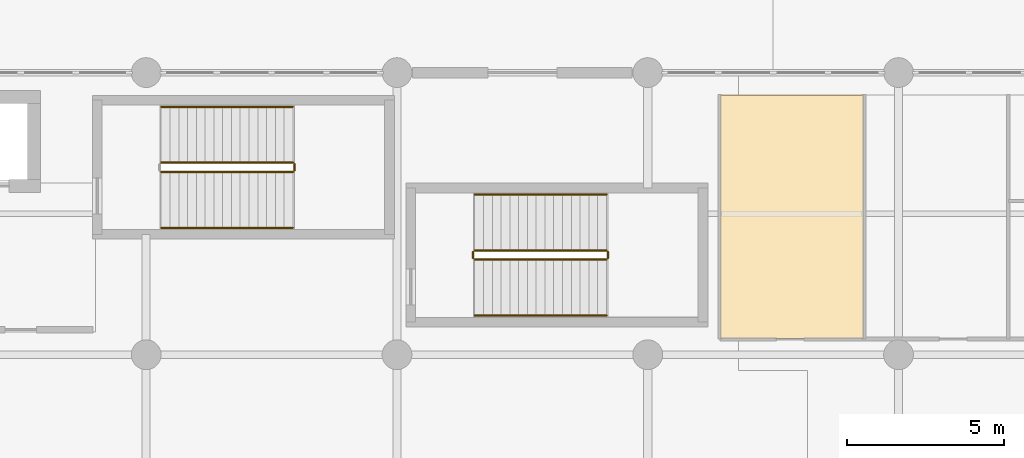
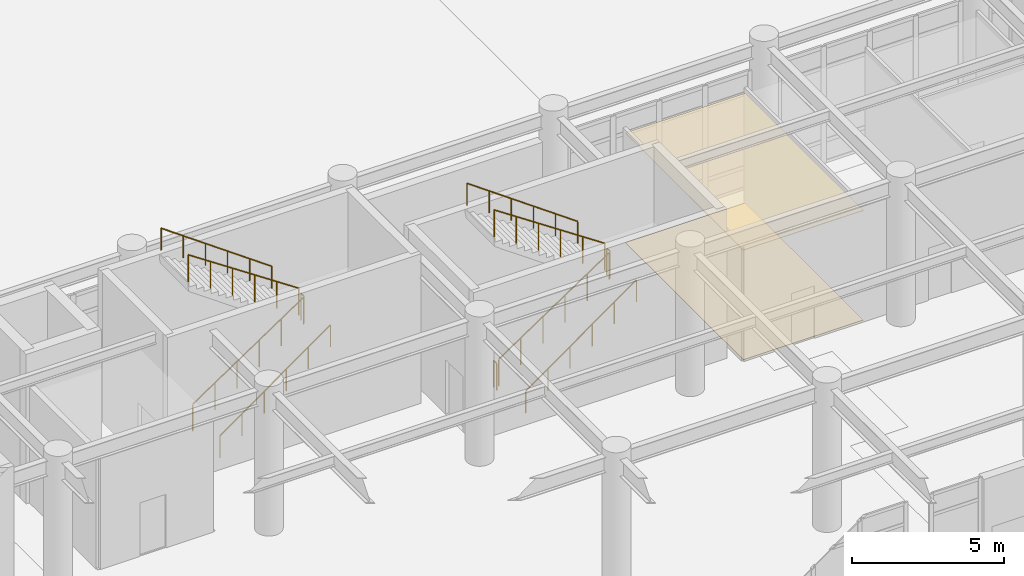
# One storey, part 41 of 49: 11 railings, 2 coverings.
"""IFC4 building model written with IfcOpenShell, lengths in metres."""

from ifc_helpers import new_model, si_unit, direction, frame, origin, origin_2d, place, context, subcontext, project, spatial, polyline, circle, outline, extrude, material, layer, layer_set, type_object, element, save


model = new_model("IFC4")

# Units and contexts
model_context = context("Model", 3, precision=1e-05, world=origin(), true_north=direction((0.0, 1.0)))
body_context = subcontext(model_context, "Body", "Model", "MODEL_VIEW")
ifc_project = project(units=[si_unit("LENGTHUNIT", "METRE"), si_unit("AREAUNIT", "SQUARE_METRE"), si_unit("VOLUMEUNIT", "CUBIC_METRE"), si_unit("PLANEANGLEUNIT", "RADIAN"), si_unit("MASSUNIT", "GRAM", prefix="KILO")], contexts=[model_context])

# Site, building, storey
site_placement = place(None, origin())
site = spatial("IfcSite", under=ifc_project, at=site_placement, CompositionType="ELEMENT")
building_placement = place(site_placement, origin())
building = spatial("IfcBuilding", under=site, at=building_placement, Name="Tlacozan Convention Centre", CompositionType="ELEMENT")
storey_placement = place(building_placement, origin())
storey = spatial("IfcBuildingStorey", under=building, at=storey_placement, Name="L00", CompositionType="ELEMENT", Elevation=0.0)

# Coverings
ifc_material_1 = material(Name="Perforated Acoustic Mineral Fibre Ceiling")
ifc_layer_1 = layer(ifc_material_1, 0.02490234375)
ifc_layer_set_1 = layer_set([ifc_layer_1], Name="Perforated Acoustic Mineral Fibre Ceiling")
covering_type_1 = type_object("IfcCoveringType", Name="Acoustic Mineral Fibre Ceiling 25", PredefinedType="CEILING", material=ifc_layer_set_1)
covering_1_placement = place(storey_placement, frame((0.0, 0.0, 4.39990234375)))
element("IfcCovering", 1, at=covering_1_placement, inside=storey, type_object=covering_type_1, Name="L00 Acoustic Ceiling L00-WC1", PredefinedType="CEILING", context=body_context, shape_type="SweptSolid", body=[
    extrude(outline(polyline([(58.320068359375, 18.52001953125), (62.8798828125, 18.52001953125), (62.8798828125, 26.280029296875), (58.320068359375, 26.280029296875), (58.320068359375, 18.52001953125)])), origin(), (0.0, 0.0, 1.0), 0.025146484375),
])
ifc_material_2 = material(Name="Polished Basalt Terrazzo Flooring", Category="masonry")
ifc_layer_2 = layer(ifc_material_2, 0.02001953125)
ifc_layer_set_2 = layer_set([ifc_layer_2], Name="Polished Basalt Terrazzo Flooring")
covering_type_2 = type_object("IfcCoveringType", Name="Polished Basalt Terrazzo Flooring 20", PredefinedType="FLOORING", material=ifc_layer_set_2)
covering_2_placement = place(storey_placement, origin())
element("IfcCovering", 2, at=covering_2_placement, inside=storey, type_object=covering_type_2, Name="L00 Terrazzo Flooring L00-WC1", PredefinedType="FLOORING", context=body_context, shape_type="SweptSolid", body=[
    extrude(outline(polyline([(58.320068359375, 18.52001953125), (62.8798828125, 18.52001953125), (62.8798828125, 26.280029296875), (58.320068359375, 26.280029296875), (58.320068359375, 18.52001953125)])), origin(), (0.0, 0.0, 1.0), 0.02001953125),
])

# Railings
ifc_material_3 = material(Name="Architectural Painted Galvanised Steel Railing", Category="steel")
railing_type_1 = type_object("IfcRailingType", Name="Stair Wall Handrail 900", PredefinedType="HANDRAIL", material=ifc_material_3)
railing_1_placement = place(storey_placement, frame((40.47998046875, 22.050048828125, 0.1875)))
element("IfcRailing", 3, at=railing_1_placement, inside=storey, type_object=railing_type_1, Name="L00 ST-04 stair handrail 1", PredefinedType="HANDRAIL", context=body_context, shape_type="SweptSolid", body=[
    extrude(circle(Radius=0.02392578125, at=origin_2d()), frame((0.0, 0.0, 0.8759765625), z_axis=(0.813730275137, 0.0, 0.581242668191), x_axis=(0.0, 1.0, 0.0)), (0.0, 0.0, 1.0), 5.161376953125),
    extrude(circle(Radius=0.02099609375, at=origin_2d()), origin(), (0.0, 0.0, 1.0), 0.851806640625),
    extrude(circle(Radius=0.02099609375, at=origin_2d()), frame((0.840087890625, 0.0, 0.60009765625)), (0.0, 0.0, 1.0), 0.851806640625),
    extrude(circle(Radius=0.02099609375, at=origin_2d()), frame((1.679931640625, 0.0, 1.199951171875)), (0.0, 0.0, 1.0), 0.851806640625),
    extrude(circle(Radius=0.02099609375, at=origin_2d()), frame((2.52001953125, 0.0, 1.800048828125)), (0.0, 0.0, 1.0), 0.851806640625),
    extrude(circle(Radius=0.02099609375, at=origin_2d()), frame((3.35986328125, 0.0, 2.39990234375)), (0.0, 0.0, 1.0), 0.851806640625),
    extrude(circle(Radius=0.02099609375, at=origin_2d()), frame((4.199951171875, 0.0, 3.0)), (0.0, 0.0, 1.0), 0.851806640625),
])
railing_2_placement = place(storey_placement, frame((44.679931640625, 25.909912109375, 3.1875)))
element("IfcRailing", 4, at=railing_2_placement, inside=storey, type_object=railing_type_1, Name="L00 ST-04 stair handrail 2", PredefinedType="HANDRAIL", context=body_context, shape_type="SweptSolid", body=[
    extrude(circle(Radius=0.02392578125, at=origin_2d()), frame((0.0, 0.0, 0.8759765625), z_axis=(-0.813730275137, 0.0, 0.581242668191), x_axis=(0.0, -1.0, 0.0)), (0.0, 0.0, 1.0), 5.161376953125),
    extrude(circle(Radius=0.02099609375, at=origin_2d()), origin(), (0.0, 0.0, 1.0), 0.851806640625),
    extrude(circle(Radius=0.02099609375, at=origin_2d()), frame((-0.840087890625, 0.0, 0.60009765625)), (0.0, 0.0, 1.0), 0.851806640625),
    extrude(circle(Radius=0.02099609375, at=origin_2d()), frame((-1.679931640625, 0.0, 1.199951171875)), (0.0, 0.0, 1.0), 0.851806640625),
    extrude(circle(Radius=0.02099609375, at=origin_2d()), frame((-2.52001953125, 0.0, 1.800048828125)), (0.0, 0.0, 1.0), 0.851806640625),
    extrude(circle(Radius=0.02099609375, at=origin_2d()), frame((-3.35986328125, 0.0, 2.39990234375)), (0.0, 0.0, 1.0), 0.851806640625),
    extrude(circle(Radius=0.02099609375, at=origin_2d()), frame((-4.199951171875, 0.0, 3.0)), (0.0, 0.0, 1.0), 0.851806640625),
])
railing_3_placement = place(storey_placement, frame((50.47998046875, 19.25, 0.1875)))
element("IfcRailing", 5, at=railing_3_placement, inside=storey, type_object=railing_type_1, Name="L00 ST-14 stair handrail 1", PredefinedType="HANDRAIL", context=body_context, shape_type="SweptSolid", body=[
    extrude(circle(Radius=0.02392578125, at=origin_2d()), frame((0.0, 0.0, 0.8759765625), z_axis=(0.813730275137, 0.0, 0.581242668191), x_axis=(0.0, 1.0, 0.0)), (0.0, 0.0, 1.0), 5.161376953125),
    extrude(circle(Radius=0.02099609375, at=origin_2d()), origin(), (0.0, 0.0, 1.0), 0.851806640625),
    extrude(circle(Radius=0.02099609375, at=origin_2d()), frame((0.840087890625, 0.0, 0.60009765625)), (0.0, 0.0, 1.0), 0.851806640625),
    extrude(circle(Radius=0.02099609375, at=origin_2d()), frame((1.679931640625, 0.0, 1.199951171875)), (0.0, 0.0, 1.0), 0.851806640625),
    extrude(circle(Radius=0.02099609375, at=origin_2d()), frame((2.52001953125, 0.0, 1.800048828125)), (0.0, 0.0, 1.0), 0.851806640625),
    extrude(circle(Radius=0.02099609375, at=origin_2d()), frame((3.35986328125, 0.0, 2.39990234375)), (0.0, 0.0, 1.0), 0.851806640625),
    extrude(circle(Radius=0.02099609375, at=origin_2d()), frame((4.199951171875, 0.0, 3.0)), (0.0, 0.0, 1.0), 0.851806640625),
])
railing_4_placement = place(storey_placement, frame((54.679931640625, 23.110107421875, 3.1875)))
element("IfcRailing", 6, at=railing_4_placement, inside=storey, type_object=railing_type_1, Name="L00 ST-14 stair handrail 2", PredefinedType="HANDRAIL", context=body_context, shape_type="SweptSolid", body=[
    extrude(circle(Radius=0.02392578125, at=origin_2d()), frame((0.0, 0.0, 0.8759765625), z_axis=(-0.813730275137, 0.0, 0.581242668191), x_axis=(0.0, -1.0, 0.0)), (0.0, 0.0, 1.0), 5.161376953125),
    extrude(circle(Radius=0.02099609375, at=origin_2d()), origin(), (0.0, 0.0, 1.0), 0.851806640625),
    extrude(circle(Radius=0.02099609375, at=origin_2d()), frame((-0.840087890625, 0.0, 0.60009765625)), (0.0, 0.0, 1.0), 0.851806640625),
    extrude(circle(Radius=0.02099609375, at=origin_2d()), frame((-1.679931640625, 0.0, 1.199951171875)), (0.0, 0.0, 1.0), 0.851806640625),
    extrude(circle(Radius=0.02099609375, at=origin_2d()), frame((-2.52001953125, 0.0, 1.800048828125)), (0.0, 0.0, 1.0), 0.851806640625),
    extrude(circle(Radius=0.02099609375, at=origin_2d()), frame((-3.35986328125, 0.0, 2.39990234375)), (0.0, 0.0, 1.0), 0.851806640625),
    extrude(circle(Radius=0.02099609375, at=origin_2d()), frame((-4.199951171875, 0.0, 3.0)), (0.0, 0.0, 1.0), 0.851806640625),
])
railing_type_2 = type_object("IfcRailingType", Name="Stair Well Guardrail 1100", PredefinedType="GUARDRAIL", material=ifc_material_3)
railing_5_placement = place(storey_placement, frame((40.47998046875, 23.830078125, 0.1875)))
element("IfcRailing", 7, at=railing_5_placement, inside=storey, type_object=railing_type_2, Name="L00 ST-04 stair guard 1", PredefinedType="GUARDRAIL", context=body_context, shape_type="SweptSolid", body=[
    extrude(circle(Radius=0.02392578125, at=origin_2d()), frame((0.0, 0.0, 1.076171875), z_axis=(0.830904186295, 0.0, 0.556415522067), x_axis=(0.0, 1.0, 0.0)), (0.0, 0.0, 1.0), 5.0546875),
    extrude(circle(Radius=0.02099609375, at=origin_2d()), origin(), (0.0, 0.0, 1.0), 1.052001953125),
    extrude(circle(Radius=0.02099609375, at=origin_2d()), frame((0.840087890625, 0.0, 0.5625)), (0.0, 0.0, 1.0), 1.052001953125),
    extrude(circle(Radius=0.02099609375, at=origin_2d()), frame((1.679931640625, 0.0, 1.125)), (0.0, 0.0, 1.0), 1.052001953125),
    extrude(circle(Radius=0.02099609375, at=origin_2d()), frame((2.52001953125, 0.0, 1.6875)), (0.0, 0.0, 1.0), 1.052001953125),
    extrude(circle(Radius=0.02099609375, at=origin_2d()), frame((3.35986328125, 0.0, 2.25)), (0.0, 0.0, 1.0), 1.052001953125),
    extrude(circle(Radius=0.02099609375, at=origin_2d()), frame((4.199951171875, 0.0, 2.8125)), (0.0, 0.0, 1.0), 1.052001953125),
])
railing_6_placement = place(storey_placement, frame((44.72998046875, 23.8798828125, 3.0)))
element("IfcRailing", 8, at=railing_6_placement, inside=storey, type_object=railing_type_2, Name="L00 ST-04 stair guard 2", PredefinedType="GUARDRAIL", context=body_context, shape_type="SweptSolid", body=[
    extrude(circle(Radius=0.02392578125, at=origin_2d()), frame((0.0, 0.0, 1.076171875), z_axis=(0.0, 1.0, 0.0), x_axis=(-1.0, 0.0, 0.0)), (0.0, 0.0, 1.0), 0.2001953125),
    extrude(circle(Radius=0.02099609375, at=origin_2d()), origin(), (0.0, 0.0, 1.0), 1.052001953125),
    extrude(circle(Radius=0.02099609375, at=origin_2d()), frame((0.0, 0.2001953125, 0.0)), (0.0, 0.0, 1.0), 1.052001953125),
])
railing_7_placement = place(storey_placement, frame((44.679931640625, 24.1298828125, 3.1875)))
element("IfcRailing", 9, at=railing_7_placement, inside=storey, type_object=railing_type_2, Name="L00 ST-04 stair guard 3", PredefinedType="GUARDRAIL", context=body_context, shape_type="SweptSolid", body=[
    extrude(circle(Radius=0.02392578125, at=origin_2d()), frame((0.0, 0.0, 1.076171875), z_axis=(-0.830904186295, 0.0, 0.556415522067), x_axis=(0.0, -1.0, 0.0)), (0.0, 0.0, 1.0), 5.0546875),
    extrude(circle(Radius=0.02099609375, at=origin_2d()), origin(), (0.0, 0.0, 1.0), 1.052001953125),
    extrude(circle(Radius=0.02099609375, at=origin_2d()), frame((-0.840087890625, 0.0, 0.5625)), (0.0, 0.0, 1.0), 1.052001953125),
    extrude(circle(Radius=0.02099609375, at=origin_2d()), frame((-1.679931640625, 0.0, 1.125)), (0.0, 0.0, 1.0), 1.052001953125),
    extrude(circle(Radius=0.02099609375, at=origin_2d()), frame((-2.52001953125, 0.0, 1.6875)), (0.0, 0.0, 1.0), 1.052001953125),
    extrude(circle(Radius=0.02099609375, at=origin_2d()), frame((-3.35986328125, 0.0, 2.25)), (0.0, 0.0, 1.0), 1.052001953125),
    extrude(circle(Radius=0.02099609375, at=origin_2d()), frame((-4.199951171875, 0.0, 2.8125)), (0.0, 0.0, 1.0), 1.052001953125),
])
railing_8_placement = place(storey_placement, frame((50.47998046875, 21.030029296875, 0.1875)))
element("IfcRailing", 10, at=railing_8_placement, inside=storey, type_object=railing_type_2, Name="L00 ST-14 stair guard 1", PredefinedType="GUARDRAIL", context=body_context, shape_type="SweptSolid", body=[
    extrude(circle(Radius=0.02392578125, at=origin_2d()), frame((0.0, 0.0, 1.076171875), z_axis=(0.830904186295, 0.0, 0.556415522067), x_axis=(0.0, 1.0, 0.0)), (0.0, 0.0, 1.0), 5.0546875),
    extrude(circle(Radius=0.02099609375, at=origin_2d()), origin(), (0.0, 0.0, 1.0), 1.052001953125),
    extrude(circle(Radius=0.02099609375, at=origin_2d()), frame((0.840087890625, 0.0, 0.5625)), (0.0, 0.0, 1.0), 1.052001953125),
    extrude(circle(Radius=0.02099609375, at=origin_2d()), frame((1.679931640625, 0.0, 1.125)), (0.0, 0.0, 1.0), 1.052001953125),
    extrude(circle(Radius=0.02099609375, at=origin_2d()), frame((2.52001953125, 0.0, 1.6875)), (0.0, 0.0, 1.0), 1.052001953125),
    extrude(circle(Radius=0.02099609375, at=origin_2d()), frame((3.35986328125, 0.0, 2.25)), (0.0, 0.0, 1.0), 1.052001953125),
    extrude(circle(Radius=0.02099609375, at=origin_2d()), frame((4.199951171875, 0.0, 2.8125)), (0.0, 0.0, 1.0), 1.052001953125),
])
railing_9_placement = place(storey_placement, frame((54.72998046875, 21.080078125, 3.0)))
element("IfcRailing", 11, at=railing_9_placement, inside=storey, type_object=railing_type_2, Name="L00 ST-14 stair guard 2", PredefinedType="GUARDRAIL", context=body_context, shape_type="SweptSolid", body=[
    extrude(circle(Radius=0.02392578125, at=origin_2d()), frame((0.0, 0.0, 1.076171875), z_axis=(0.0, 1.0, 0.0), x_axis=(-1.0, 0.0, 0.0)), (0.0, 0.0, 1.0), 0.199951171875),
    extrude(circle(Radius=0.02099609375, at=origin_2d()), origin(), (0.0, 0.0, 1.0), 1.052001953125),
    extrude(circle(Radius=0.02099609375, at=origin_2d()), frame((0.0, 0.199951171875, 0.0)), (0.0, 0.0, 1.0), 1.052001953125),
])
railing_10_placement = place(storey_placement, frame((54.679931640625, 21.330078125, 3.1875)))
element("IfcRailing", 12, at=railing_10_placement, inside=storey, type_object=railing_type_2, Name="L00 ST-14 stair guard 3", PredefinedType="GUARDRAIL", context=body_context, shape_type="SweptSolid", body=[
    extrude(circle(Radius=0.02392578125, at=origin_2d()), frame((0.0, 0.0, 1.076171875), z_axis=(-0.830904186295, 0.0, 0.556415522067), x_axis=(0.0, -1.0, 0.0)), (0.0, 0.0, 1.0), 5.0546875),
    extrude(circle(Radius=0.02099609375, at=origin_2d()), origin(), (0.0, 0.0, 1.0), 1.052001953125),
    extrude(circle(Radius=0.02099609375, at=origin_2d()), frame((-0.840087890625, 0.0, 0.5625)), (0.0, 0.0, 1.0), 1.052001953125),
    extrude(circle(Radius=0.02099609375, at=origin_2d()), frame((-1.679931640625, 0.0, 1.125)), (0.0, 0.0, 1.0), 1.052001953125),
    extrude(circle(Radius=0.02099609375, at=origin_2d()), frame((-2.52001953125, 0.0, 1.6875)), (0.0, 0.0, 1.0), 1.052001953125),
    extrude(circle(Radius=0.02099609375, at=origin_2d()), frame((-3.35986328125, 0.0, 2.25)), (0.0, 0.0, 1.0), 1.052001953125),
    extrude(circle(Radius=0.02099609375, at=origin_2d()), frame((-4.199951171875, 0.0, 2.8125)), (0.0, 0.0, 1.0), 1.052001953125),
])
railing_11_placement = place(storey_placement, frame((50.429931640625, 21.080078125, 0.0)))
element("IfcRailing", 13, at=railing_11_placement, inside=storey, type_object=railing_type_2, Name="L00 ST-14 stair guard 4", PredefinedType="GUARDRAIL", context=body_context, shape_type="SweptSolid", body=[
    extrude(circle(Radius=0.02392578125, at=origin_2d()), frame((0.0, 0.0, 1.076171875), z_axis=(0.0, 1.0, 0.0), x_axis=(-1.0, 0.0, 0.0)), (0.0, 0.0, 1.0), 0.199951171875),
    extrude(circle(Radius=0.02099609375, at=origin_2d()), origin(), (0.0, 0.0, 1.0), 1.052001953125),
    extrude(circle(Radius=0.02099609375, at=origin_2d()), frame((0.0, 0.199951171875, 0.0)), (0.0, 0.0, 1.0), 1.052001953125),
])

save(model, "model.ifc")
